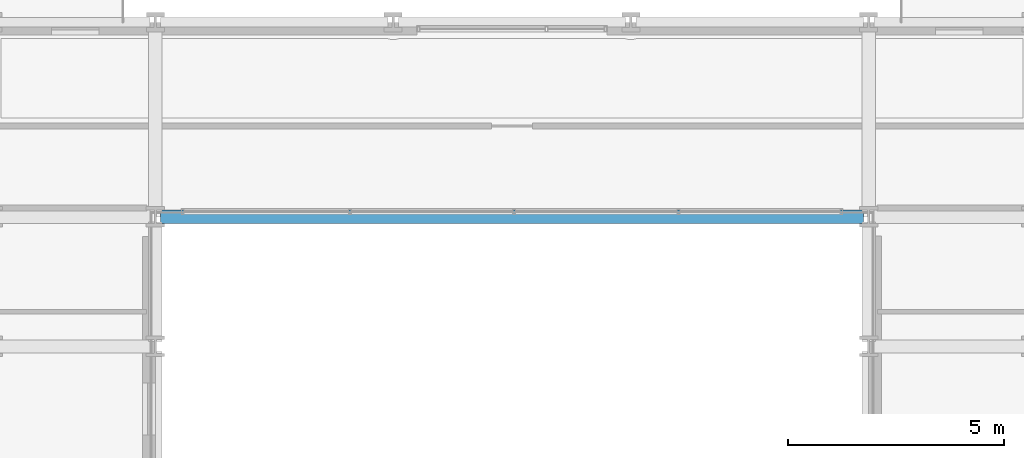
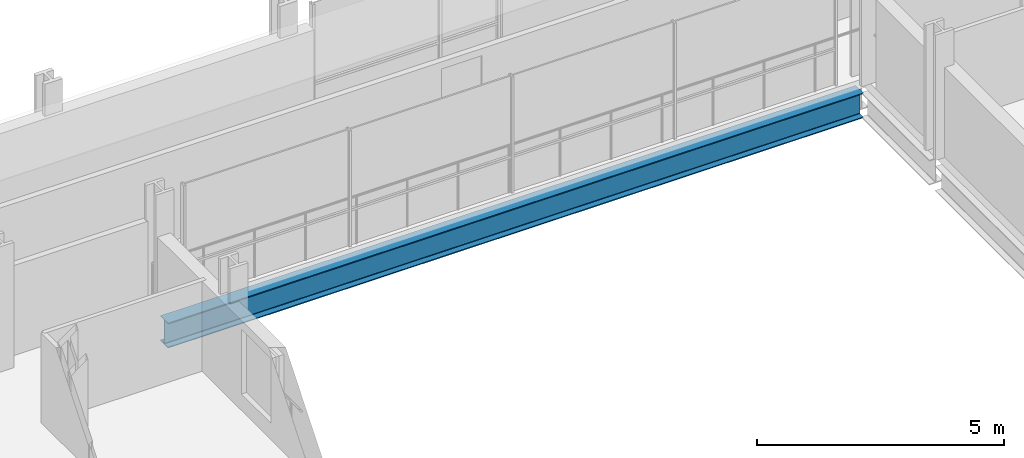
# One storey, part 10 of 40: 1 beam.
"""IFC4 building model written with IfcOpenShell, lengths in metres."""

import ifcopenshell
import ifcopenshell.guid

model = None  # the IFC model being written
_history = None  # IfcOwnerHistory: only IFC2X3 demands one
_inside = {}  # id of a spatial element -> (the spatial element, [elements in it])
_under = {}  # id of a project, library or spatial element -> (it, [spatial elements below it])
_declared = {}  # id of a project -> (the project, [libraries it declares])
_typed = {}  # id of a type object -> (the type object, [elements of that type])
_made_of = {}  # id of a material, layer set ... -> (it, [elements and type objects made of it])


def new_model(schema):
    """Start an empty IFC model of exactly this schema.

    Asked for "IFC4X3", IfcOpenShell would pick the latest addendum, in which some entities
    have other attributes; the version numbers below select the first issue.
    IFC2X3 requires an IfcOwnerHistory on every rooted entity: one is made here for all.
    """
    global model, _history
    if schema == "IFC4X3":
        model = ifcopenshell.file(schema_version=(4, 3, 0, 0))
    else:
        model = ifcopenshell.file(schema=schema)
    _inside.clear()
    _under.clear()
    _declared.clear()
    _typed.clear()
    _made_of.clear()
    _history = None
    if model.schema == "IFC2X3":
        org = make("IfcOrganization", Name="unknown")
        user = make(
            "IfcPersonAndOrganization",
            ThePerson=make("IfcPerson", FamilyName="unknown"),
            TheOrganization=org,
        )
        app = make(
            "IfcApplication",
            ApplicationDeveloper=org,
            Version="unknown",
            ApplicationFullName="unknown",
            ApplicationIdentifier="unknown",
        )
        _history = make(
            "IfcOwnerHistory",
            OwningUser=user,
            OwningApplication=app,
            ChangeAction="ADDED",
            CreationDate=0,
        )
    return model


def make(cls, **values):
    """One entity of the class cls with the attributes given. An attribute that is None is left unset."""
    return model.create_entity(
        cls, **{name: value for name, value in values.items() if value is not None}
    )


def rooted(cls, **values):
    """An entity with a GlobalId (a new one), such as an element, a storey or a relation."""
    return make(cls, GlobalId=ifcopenshell.guid.new(), OwnerHistory=_history, **values)


def si_unit(unit_type, name, prefix=None):
    """IfcSIUnit, for example si_unit("LENGTHUNIT", "METRE", prefix="MILLI")."""
    return make("IfcSIUnit", UnitType=unit_type, Prefix=prefix, Name=name)


def assignment(units):
    """IfcUnitAssignment: the units of a project."""
    return None if units is None else make("IfcUnitAssignment", Units=units)


def point(xyz):
    """IfcCartesianPoint."""
    return None if xyz is None else make("IfcCartesianPoint", Coordinates=xyz)


def direction(xyz):
    """IfcDirection."""
    return None if xyz is None else make("IfcDirection", DirectionRatios=xyz)


def frame(location, z_axis=None, x_axis=None):
    """IfcAxis2Placement3D, a coordinate frame: its origin and axes. An axis left out is left unset."""
    return make(
        "IfcAxis2Placement3D",
        Location=point(location),
        Axis=direction(z_axis),
        RefDirection=direction(x_axis),
    )


def frame_2d(location, x_axis=None):
    """IfcAxis2Placement2D, a coordinate frame in the plane: its origin and x axis."""
    return make(
        "IfcAxis2Placement2D", Location=point(location), RefDirection=direction(x_axis)
    )


def origin():
    """The frame at (0, 0, 0) with its axes left unset."""
    return frame((0.0, 0.0, 0.0))


def origin_2d():
    """The frame at (0, 0) in the plane with its x axis left unset."""
    return frame_2d((0.0, 0.0))


def place(relative_to, where):
    """IfcLocalPlacement: puts the frame where relative to a parent placement (None: the world)."""
    return make(
        "IfcLocalPlacement", PlacementRelTo=relative_to, RelativePlacement=where
    )


def context(
    kind, dimensions, precision=None, world=None, true_north=None, identifier=None
):
    """IfcGeometricRepresentationContext, for example the 3D "Model" context."""
    return make(
        "IfcGeometricRepresentationContext",
        ContextIdentifier=identifier,
        ContextType=kind,
        CoordinateSpaceDimension=dimensions,
        Precision=precision,
        WorldCoordinateSystem=world,
        TrueNorth=true_north,
    )


def subcontext(parent, identifier, kind, view, scale=None):
    """IfcGeometricRepresentationSubContext, for example "Body" below "Model"."""
    return make(
        "IfcGeometricRepresentationSubContext",
        ContextIdentifier=identifier,
        ContextType=kind,
        ParentContext=parent,
        TargetScale=scale,
        TargetView=view,
    )


def project(units=None, contexts=None):
    """IfcProject with its units and contexts."""
    return rooted(
        "IfcProject",
        Name="project",
        RepresentationContexts=contexts,
        UnitsInContext=assignment(units),
    )


def spatial(cls, under=None, at=None, **own):
    """A site, building, storey or space (cls), placed at a placement, below another one or the project."""
    s = rooted(cls, ObjectPlacement=at, **own)
    if under is not None:
        _under.setdefault(under.id(), (under, []))[1].append(s)
    return s


def profile(cls, at=None, kind="AREA", **sizes):
    """A parametric profile (cls). Its sizes go by their IFC names, for example OverallWidth=200.0."""
    return make(cls, ProfileType=kind, Position=at, **sizes)


def i_section(**sizes):
    """IfcIShapeProfileDef."""
    return profile("IfcIShapeProfileDef", **sizes)


def extrude(swept, where, along, depth):
    """IfcExtrudedAreaSolid: the profile swept, set in the frame where, extruded along a direction by depth."""
    return make(
        "IfcExtrudedAreaSolid",
        SweptArea=swept,
        Position=where,
        ExtrudedDirection=direction(along),
        Depth=depth,
    )


def shape(context_of_items, identifier, shape_type, items):
    """IfcShapeRepresentation: the items that make up one representation, for example the "Body"."""
    return make(
        "IfcShapeRepresentation",
        ContextOfItems=context_of_items,
        RepresentationIdentifier=identifier,
        RepresentationType=shape_type,
        Items=items,
    )


def material(Name=None, Category=None):
    """IfcMaterial."""
    return make("IfcMaterial", Name=Name, Category=Category)


def material_profile(
    of_material, cross_section, Name=None, Category=None, Priority=None
):
    """IfcMaterialProfile: a cross section and its material."""
    return make(
        "IfcMaterialProfile",
        Name=Name,
        Material=of_material,
        Profile=cross_section,
        Priority=Priority,
        Category=Category,
    )


def profile_set(profiles, Name=None, composite=None):
    """IfcMaterialProfileSet."""
    return make(
        "IfcMaterialProfileSet",
        Name=Name,
        MaterialProfiles=profiles,
        CompositeProfile=composite,
    )


def made_of(thing, what):
    """Note that an element or type object is made of a material, layer set ...; save() writes the relation."""
    if what is not None:
        _made_of.setdefault(what.id(), (what, []))[1].append(thing)
    return thing


def type_object(cls, material=None, **own):
    """A type object (cls), such as IfcWallType, which elements share."""
    return made_of(rooted(cls, **own), material)


def element(
    cls,
    number,
    at=None,
    inside=None,
    cuts=None,
    type_object=None,
    material=None,
    context=None,
    identifier="Body",
    shape_type=None,
    held_by="IfcProductDefinitionShape",
    body=None,
    shapes=None,
    **own,
):
    """One element of the class cls, such as IfcWall. Its Tag is "e" and its number.

    at: its placement. inside: the storey or other place that contains it. cuts: it is an
    opening in that element (IfcRelVoidsElement). A single representation is given by context,
    identifier, shape_type and body (its items); several are given by shapes. held_by: the class
    of the entity that holds the representations. save() writes the other relations.
    """
    e = rooted(cls, Tag="e%d" % number, ObjectPlacement=at, **own)
    if body is not None:
        shapes = [shape(context, identifier, shape_type, body)]
    if shapes is not None:
        e.Representation = make(held_by, Representations=shapes)
    if inside is not None:
        _inside.setdefault(inside.id(), (inside, []))[1].append(e)
    if cuts is not None:
        rooted(
            "IfcRelVoidsElement", RelatingBuildingElement=cuts, RelatedOpeningElement=e
        )
    if type_object is not None:
        _typed.setdefault(type_object.id(), (type_object, []))[1].append(e)
    return made_of(e, material)


def aggregate(whole, parts):
    """IfcRelAggregates: a whole, such as a stair, and the parts it consists of."""
    return rooted("IfcRelAggregates", RelatingObject=whole, RelatedObjects=parts)


def save(model, path):
    """Write the relations noted so far, then the file.

    IfcRelAggregates (storeys below a building ...), IfcRelContainedInSpatialStructure (elements
    in a storey), IfcRelDefinesByType, IfcRelAssociatesMaterial and IfcRelDeclares: one each for
    every whole, place, type object, material and project.
    """
    for whole, parts in _under.values():
        aggregate(whole, parts)
    for where, things in _inside.values():
        rooted(
            "IfcRelContainedInSpatialStructure",
            RelatedElements=things,
            RelatingStructure=where,
        )
    for kind, things in _typed.values():
        rooted("IfcRelDefinesByType", RelatedObjects=things, RelatingType=kind)
    for what, things in _made_of.values():
        rooted("IfcRelAssociatesMaterial", RelatedObjects=things, RelatingMaterial=what)
    for by, libraries in _declared.values():
        rooted("IfcRelDeclares", RelatingContext=by, RelatedDefinitions=libraries)
    model.write(path)


model = new_model("IFC4")

# Units and contexts
model_context = context("Model", 3, precision=1e-05, world=origin(), true_north=direction((0.0, 1.0)))
body_context = subcontext(model_context, "Body", "Model", "MODEL_VIEW")
ifc_project = project(units=[si_unit("LENGTHUNIT", "METRE"), si_unit("AREAUNIT", "SQUARE_METRE"), si_unit("VOLUMEUNIT", "CUBIC_METRE"), si_unit("PLANEANGLEUNIT", "RADIAN"), si_unit("MASSUNIT", "GRAM", prefix="KILO")], contexts=[model_context])

# Site, building, storey
site_placement = place(None, origin())
site = spatial("IfcSite", under=ifc_project, at=site_placement, CompositionType="ELEMENT")
building_placement = place(site_placement, origin())
building = spatial("IfcBuilding", under=site, at=building_placement, Name="Brevholm Reach", CompositionType="ELEMENT")
storey_placement = place(building_placement, frame((0.0, 0.0, 31.10009765625)))
storey = spatial("IfcBuildingStorey", under=building, at=storey_placement, Name="L07", CompositionType="ELEMENT", Elevation=31.10009765625)

# Beam
ifc_material = material(Name="Structural Steel S355J2", Category="steel")
ifc_material_profile = material_profile(ifc_material, i_section(OverallWidth=0.30712890625, OverallDepth=0.6201171875, WebThickness=0.01416015625, FlangeThickness=0.023681640625, FilletRadius=0.0166015625, at=origin_2d()), Name="UKB 610x305x179")
ifc_profile_set = profile_set([ifc_material_profile], Name="Structural Steel S355J2")
beam_type = type_object("IfcBeamType", Name="BM-UKB610H", PredefinedType="USERDEFINED", material=ifc_profile_set)
beam_placement = place(storey_placement, frame((21.8701171875, 26.5, -0.540283203125), z_axis=(1.0, 0.0, 0.0), x_axis=(0.0, 1.0, 0.0)))
element("IfcBeam", 1, at=beam_placement, inside=storey, type_object=beam_type, Name="L07 G-06 Framing Beam", ObjectType="GIRDER", PredefinedType="USERDEFINED", context=body_context, shape_type="SweptSolid", body=[
    extrude(i_section(OverallWidth=0.30712890625, OverallDepth=0.6201171875, WebThickness=0.01416015625, FlangeThickness=0.023681640625, FilletRadius=0.0166015625, at=origin_2d()), origin(), (0.0, 0.0, 1.0), 16.259765625),
])

save(model, "model.ifc")
